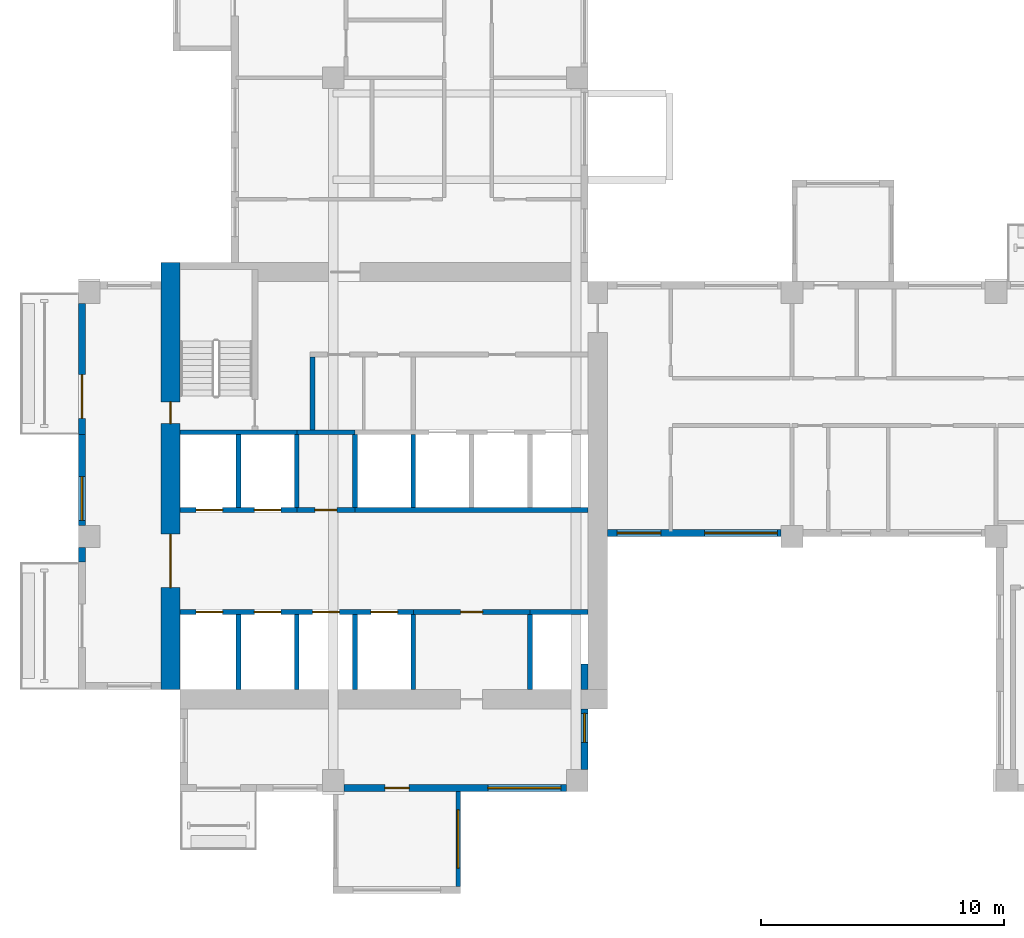
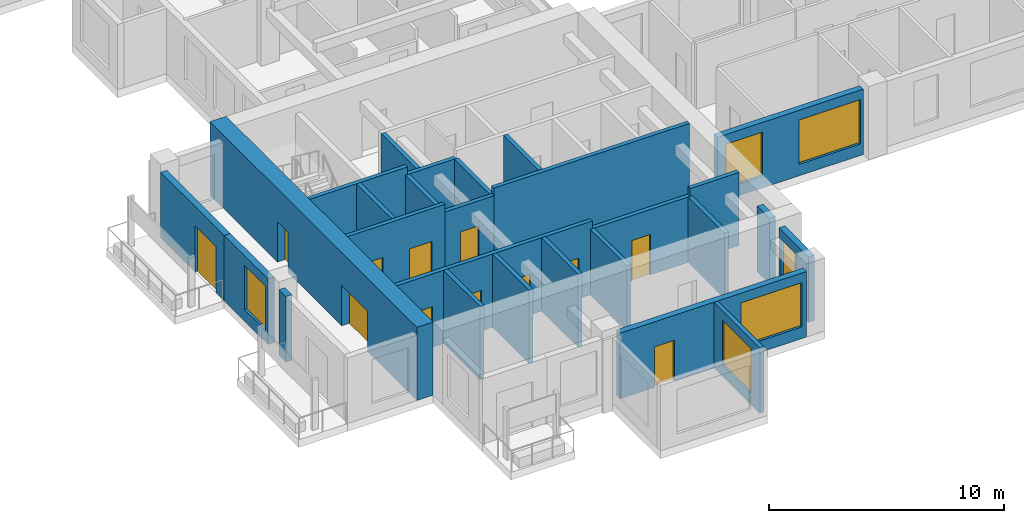
# One storey, part 2 of 11: 27 walls, 12 doors, 6 windows, 18 openings.
"""IFC4 building model written with IfcOpenShell, lengths in metres."""

from ifc_helpers import new_model, si_unit, direction, frame, frame_2d, origin, place, context, subcontext, project, spatial, rectangle, extrude, source, transform, mapped, material, layer, layer_set, type_object, element, fill, save


model = new_model("IFC4")

# Units and contexts
model_context = context("Model", 3, precision=1e-05, world=origin(), true_north=direction((0.0, 1.0)))
body_context = subcontext(model_context, "Body", "Model", "MODEL_VIEW")
ifc_project = project(units=[si_unit("LENGTHUNIT", "METRE"), si_unit("AREAUNIT", "SQUARE_METRE"), si_unit("VOLUMEUNIT", "CUBIC_METRE"), si_unit("PLANEANGLEUNIT", "RADIAN"), si_unit("MASSUNIT", "GRAM", prefix="KILO")], contexts=[model_context])

# Site, building, storey
site_placement = place(None, origin())
site = spatial("IfcSite", under=ifc_project, at=site_placement, CompositionType="ELEMENT")
building_placement = place(site_placement, origin())
building = spatial("IfcBuilding", under=site, at=building_placement, Name="Aurelian Terraces", CompositionType="ELEMENT")
storey_placement = place(building_placement, frame((0.0, 0.0, 208.2)))
storey = spatial("IfcBuildingStorey", under=building, at=storey_placement, Name="L46", CompositionType="ELEMENT", Elevation=208.2)

# Wall, opening, door
ifc_material_1 = material(Name="Terracotta rainscreen cladding", Category="masonry")
ifc_layer_1 = layer(ifc_material_1, 0.3)
ifc_layer_set_1 = layer_set([ifc_layer_1], Name="EW-300")
wall_type_1 = type_object("IfcWallType", Name="EW-300", PredefinedType="STANDARD", material=ifc_layer_set_1)
wall_1_placement = place(storey_placement, frame((0.15, 20.1, 0.0), z_axis=(0.0, 0.0, 1.0), x_axis=(0.0, -1.0, 0.0)))
wall_1 = element("IfcWall", 1, at=wall_1_placement, inside=storey, type_object=wall_type_1, Name="External wall L46 F24.39", PredefinedType="STANDARD", context=body_context, shape_type="SweptSolid", body=[
    extrude(rectangle(XDim=5.4, YDim=0.3, at=frame_2d((2.7, 0.0))), origin(), (0.0, 0.0, 1.0), 3.4),
])
shared_shape_1 = source(origin(), body_context, "Body", "SweptSolid", [
    extrude(rectangle(XDim=1.8, YDim=2.4, at=frame_2d((0.9, 1.2))), frame((0.0, 0.16, 0.0), z_axis=(0.0, -1.0, 0.0), x_axis=(1.0, 0.0, 0.0)), (0.0, 0.0, 1.0), 0.32),
])
opening_1_placement = place(wall_1_placement, frame((2.925, 0.0, 0.0)))
opening_1 = element("IfcOpeningElement", 2, at=opening_1_placement, cuts=wall_1, Name="Opening 84605", PredefinedType="OPENING", context=body_context, shape_type="MappedRepresentation", body=[
    mapped(shared_shape_1, transform((0.0, 0.0, 0.0), scale=1.0)),
])
ifc_material_2 = material(Name="Clear glazing", Category="glass")
door_type_1 = type_object("IfcDoorType", Name="BD-1800x2400", OperationType="SLIDING_TO_LEFT", PredefinedType="DOOR", material=ifc_material_2)
shared_shape_2 = source(origin(), body_context, "Body", "SweptSolid", [
    extrude(rectangle(XDim=1.8, YDim=2.4, at=frame_2d((0.9, 1.2))), frame((0.0, 0.025, 0.0), z_axis=(0.0, -1.0, 0.0), x_axis=(1.0, 0.0, 0.0)), (0.0, 0.0, 1.0), 0.05),
])
door_1_placement = place(opening_1_placement, origin())
door_1 = element("IfcDoor", 3, at=door_1_placement, inside=storey, type_object=door_type_1, Name="Balcony door L46 F24.39", OperationType="SLIDING_TO_LEFT", OverallHeight=2.4, OverallWidth=1.8, PredefinedType="DOOR", context=body_context, shape_type="MappedRepresentation", body=[
    mapped(shared_shape_2, transform((0.0, 0.0, 0.0), scale=1.0)),
])
fill(opening_1, door_1)

# Wall, openings, doors
ifc_material_3 = material(Name="Concrete fc' 70 MPa", Category="concrete")
ifc_layer_2 = layer(ifc_material_3, 0.8)
ifc_layer_set_2 = layer_set([ifc_layer_2], Name="CORE WALL 800 FC70")
wall_type_2 = type_object("IfcWallType", Name="CORE WALL 800 FC70", PredefinedType="SHEAR", material=ifc_layer_set_2)
shared_shape_3 = source(origin(), body_context, "Body", "SweptSolid", [
    extrude(rectangle(XDim=17.6, YDim=0.8, at=frame_2d((8.8, 0.0))), origin(), (0.0, 0.0, 1.0), 3.8),
])
wall_2_placement = place(storey_placement, frame((3.8, 4.2, 0.0), z_axis=(0.0, 0.0, 1.0), x_axis=(0.0, 1.0, 0.0)))
wall_2 = element("IfcWall", 4, at=wall_2_placement, inside=storey, type_object=wall_type_2, Name="Core wall W L46", PredefinedType="SHEAR", context=body_context, shape_type="MappedRepresentation", body=[
    mapped(shared_shape_3, transform((0.0, 0.0, 0.0), scale=1.0)),
])
shared_shape_4 = source(origin(), body_context, "Body", "SweptSolid", [
    extrude(rectangle(XDim=2.2, YDim=2.1, at=frame_2d((1.1, 1.05))), frame((0.0, 0.41, 0.0), z_axis=(0.0, -1.0, 0.0), x_axis=(1.0, 0.0, 0.0)), (0.0, 0.0, 1.0), 0.82),
])
opening_2_placement = place(wall_2_placement, frame((4.2, 0.0, 0.0)))
opening_2 = element("IfcOpeningElement", 5, at=opening_2_placement, cuts=wall_2, Name="Opening 64921", PredefinedType="OPENING", context=body_context, shape_type="MappedRepresentation", body=[
    mapped(shared_shape_4, transform((0.0, 0.0, 0.0), scale=1.0)),
])
shared_shape_5 = source(origin(), body_context, "Body", "SweptSolid", [
    extrude(rectangle(XDim=0.9, YDim=2.1, at=frame_2d((0.45, 1.05))), frame((0.0, 0.41, 0.0), z_axis=(0.0, -1.0, 0.0), x_axis=(1.0, 0.0, 0.0)), (0.0, 0.0, 1.0), 0.82),
])
opening_3_placement = place(wall_2_placement, frame((10.95, 0.0, 0.0)))
opening_3 = element("IfcOpeningElement", 6, at=opening_3_placement, cuts=wall_2, Name="Opening 64925", PredefinedType="OPENING", context=body_context, shape_type="MappedRepresentation", body=[
    mapped(shared_shape_5, transform((0.0, 0.0, 0.0), scale=1.0)),
])
ifc_material_4 = material(Name="Steel door leaf", Category="steel")
door_type_2 = type_object("IfcDoorType", Name="Core service door 900x2100 right", OperationType="SINGLE_SWING_RIGHT", PredefinedType="DOOR", material=ifc_material_4)
shared_shape_6 = source(origin(), body_context, "Body", "SweptSolid", [
    extrude(rectangle(XDim=0.9, YDim=2.1, at=frame_2d((0.45, 1.05))), frame((0.0, 0.025, 0.0), z_axis=(0.0, -1.0, 0.0), x_axis=(1.0, 0.0, 0.0)), (0.0, 0.0, 1.0), 0.05),
])
door_2_placement = place(opening_3_placement, origin())
door_2 = element("IfcDoor", 7, at=door_2_placement, inside=storey, type_object=door_type_2, Name="Core door 64925", OperationType="SINGLE_SWING_RIGHT", OverallHeight=2.1, OverallWidth=0.9, PredefinedType="DOOR", context=body_context, shape_type="MappedRepresentation", body=[
    mapped(shared_shape_6, transform((0.0, 0.0, 0.0), scale=1.0)),
])
fill(opening_3, door_2)
door_type_3 = type_object("IfcDoorType", Name="Core double door 2200x2100", OperationType="DOUBLE_DOOR_SINGLE_SWING", PredefinedType="DOOR", material=ifc_material_4)
shared_shape_7 = source(origin(), body_context, "Body", "SweptSolid", [
    extrude(rectangle(XDim=2.2, YDim=2.1, at=frame_2d((1.1, 1.05))), frame((0.0, 0.025, 0.0), z_axis=(0.0, -1.0, 0.0), x_axis=(1.0, 0.0, 0.0)), (0.0, 0.0, 1.0), 0.05),
])
door_3_placement = place(opening_2_placement, origin())
door_3 = element("IfcDoor", 8, at=door_3_placement, inside=storey, type_object=door_type_3, Name="Core door 64921", OperationType="DOUBLE_DOOR_SINGLE_SWING", OverallHeight=2.1, OverallWidth=2.2, PredefinedType="DOOR", context=body_context, shape_type="MappedRepresentation", body=[
    mapped(shared_shape_7, transform((0.0, 0.0, 0.0), scale=1.0)),
])
fill(opening_2, door_3)

# Wall, openings, windows
shared_shape_8 = source(origin(), body_context, "Body", "SweptSolid", [
    extrude(rectangle(XDim=7.15, YDim=0.3, at=frame_2d((3.575, 0.0))), origin(), (0.0, 0.0, 1.0), 3.4),
])
wall_3_placement = place(storey_placement, frame((21.8, 10.65, 0.0), z_axis=(0.0, 0.0, 1.0), x_axis=(1.0, 0.0, 0.0)))
wall_3 = element("IfcWall", 9, at=wall_3_placement, inside=storey, type_object=wall_type_1, Name="External wall L46 F03.6", PredefinedType="STANDARD", context=body_context, shape_type="MappedRepresentation", body=[
    mapped(shared_shape_8, transform((0.0, 0.0, 0.0), scale=1.0)),
])
shared_shape_9 = source(origin(), body_context, "Body", "SweptSolid", [
    extrude(rectangle(XDim=1.8, YDim=2.3, at=frame_2d((0.9, 1.15))), frame((0.0, 0.16, 0.0), z_axis=(0.0, -1.0, 0.0), x_axis=(1.0, 0.0, 0.0)), (0.0, 0.0, 1.0), 0.32),
])
opening_4_placement = place(wall_3_placement, frame((0.4, 0.0, 0.6)))
opening_4 = element("IfcOpeningElement", 10, at=opening_4_placement, cuts=wall_3, Name="Opening W1823", PredefinedType="OPENING", context=body_context, shape_type="MappedRepresentation", body=[
    mapped(shared_shape_9, transform((0.0, 0.0, 0.0), scale=1.0)),
])
shared_shape_10 = source(origin(), body_context, "Body", "SweptSolid", [
    extrude(rectangle(XDim=3.0, YDim=2.3, at=frame_2d((1.5, 1.15))), frame((0.0, 0.16, 0.0), z_axis=(0.0, -1.0, 0.0), x_axis=(1.0, 0.0, 0.0)), (0.0, 0.0, 1.0), 0.32),
])
opening_5_placement = place(wall_3_placement, frame((4.0, 0.0, 0.6)))
opening_5 = element("IfcOpeningElement", 11, at=opening_5_placement, cuts=wall_3, Name="Opening W3023", PredefinedType="OPENING", context=body_context, shape_type="MappedRepresentation", body=[
    mapped(shared_shape_10, transform((0.0, 0.0, 0.0), scale=1.0)),
])
window_type_1 = type_object("IfcWindowType", Name="W-3000x2300", PartitioningType="SINGLE_PANEL", PredefinedType="WINDOW", material=ifc_material_2)
shared_shape_11 = source(origin(), body_context, "Body", "SweptSolid", [
    extrude(rectangle(XDim=3.0, YDim=2.3, at=frame_2d((1.5, 1.15))), frame((0.0, 0.03, 0.0), z_axis=(0.0, -1.0, 0.0), x_axis=(1.0, 0.0, 0.0)), (0.0, 0.0, 1.0), 0.06),
])
window_1_placement = place(opening_5_placement, origin())
window_1 = element("IfcWindow", 12, at=window_1_placement, inside=storey, type_object=window_type_1, Name="Window L46 L46-F03-06-1", OverallHeight=2.3, OverallWidth=3.0, PartitioningType="SINGLE_PANEL", PredefinedType="WINDOW", context=body_context, shape_type="MappedRepresentation", body=[
    mapped(shared_shape_11, transform((0.0, 0.0, 0.0), scale=1.0)),
])
fill(opening_5, window_1)
window_type_2 = type_object("IfcWindowType", Name="W-1800x2300", PartitioningType="SINGLE_PANEL", PredefinedType="WINDOW", material=ifc_material_2)
shared_shape_12 = source(origin(), body_context, "Body", "SweptSolid", [
    extrude(rectangle(XDim=1.8, YDim=2.3, at=frame_2d((0.9, 1.15))), frame((0.0, 0.03, 0.0), z_axis=(0.0, -1.0, 0.0), x_axis=(1.0, 0.0, 0.0)), (0.0, 0.0, 1.0), 0.06),
])
window_2_placement = place(opening_4_placement, origin())
window_2 = element("IfcWindow", 13, at=window_2_placement, inside=storey, type_object=window_type_2, Name="Window L46 L46-F03-06-0", OverallHeight=2.3, OverallWidth=1.8, PartitioningType="SINGLE_PANEL", PredefinedType="WINDOW", context=body_context, shape_type="MappedRepresentation", body=[
    mapped(shared_shape_12, transform((0.0, 0.0, 0.0), scale=1.0)),
])
fill(opening_4, window_2)

# Wall, opening, window
shared_shape_13 = source(origin(), body_context, "Body", "SweptSolid", [
    extrude(rectangle(XDim=3.75, YDim=0.3, at=frame_2d((1.875, 0.0))), origin(), (0.0, 0.0, 1.0), 3.4),
])
wall_4_placement = place(storey_placement, frame((0.15, 14.7, 0.0), z_axis=(0.0, 0.0, 1.0), x_axis=(0.0, -1.0, 0.0)))
wall_4 = element("IfcWall", 14, at=wall_4_placement, inside=storey, type_object=wall_type_1, Name="External wall L46 F24.40", PredefinedType="STANDARD", context=body_context, shape_type="MappedRepresentation", body=[
    mapped(shared_shape_13, transform((0.0, 0.0, 0.0), scale=1.0)),
])
opening_6_placement = place(wall_4_placement, frame((1.725, 0.0, 0.6)))
opening_6 = element("IfcOpeningElement", 15, at=opening_6_placement, cuts=wall_4, Name="Opening W1823", PredefinedType="OPENING", context=body_context, shape_type="MappedRepresentation", body=[
    mapped(shared_shape_9, transform((0.0, 0.0, 0.0), scale=1.0)),
])
window_3_placement = place(opening_6_placement, origin())
window_3 = element("IfcWindow", 16, at=window_3_placement, inside=storey, type_object=window_type_2, Name="Window L46 L46-F24-40-0", OverallHeight=2.3, OverallWidth=1.8, PartitioningType="SINGLE_PANEL", PredefinedType="WINDOW", context=body_context, shape_type="MappedRepresentation", body=[
    mapped(shared_shape_12, transform((0.0, 0.0, 0.0), scale=1.0)),
])
fill(opening_6, window_3)

ifc_material_5 = material(Name="Concrete fc' 40 MPa", Category="concrete")
ifc_layer_3 = layer(ifc_material_5, 0.2)
ifc_layer_set_3 = layer_set([ifc_layer_3], Name="BOX BEARING WALL 200")
wall_type_3 = type_object("IfcWallType", Name="BOX BEARING WALL 200", PredefinedType="SOLIDWALL", material=ifc_layer_set_3)
shared_shape_14 = source(origin(), body_context, "Body", "SweptSolid", [
    extrude(rectangle(XDim=3.9, YDim=0.2, at=frame_2d((1.95, 0.0))), origin(), (0.0, 0.0, 1.0), 3.39),
])
wall_5_placement = place(storey_placement, frame((15.65, 0.0, 0.0), z_axis=(0.0, 0.0, 1.0), x_axis=(0.0, -1.0, 0.0)))
wall_5 = element("IfcWall", 17, at=wall_5_placement, inside=storey, type_object=wall_type_3, Name="Box return L46 J64.2", PredefinedType="SOLIDWALL", context=body_context, shape_type="MappedRepresentation", body=[
    mapped(shared_shape_14, transform((0.0, 0.0, 0.0), scale=1.0)),
])
shared_shape_15 = source(origin(), body_context, "Body", "SweptSolid", [
    extrude(rectangle(XDim=2.4, YDim=2.3, at=frame_2d((1.2, 1.15))), frame((0.0, 0.11, 0.0), z_axis=(0.0, -1.0, 0.0), x_axis=(1.0, 0.0, 0.0)), (0.0, 0.0, 1.0), 0.22),
])
opening_7_placement = place(wall_5_placement, frame((0.75, 0.0, 0.6)))
opening_7 = element("IfcOpeningElement", 18, at=opening_7_placement, cuts=wall_5, Name="Opening W2423", PredefinedType="OPENING", context=body_context, shape_type="MappedRepresentation", body=[
    mapped(shared_shape_15, transform((0.0, 0.0, 0.0), scale=1.0)),
])
window_type_3 = type_object("IfcWindowType", Name="W-2400x2300", PartitioningType="SINGLE_PANEL", PredefinedType="WINDOW", material=ifc_material_2)
shared_shape_16 = source(origin(), body_context, "Body", "SweptSolid", [
    extrude(rectangle(XDim=2.4, YDim=2.3, at=frame_2d((1.2, 1.15))), frame((0.0, 0.03, 0.0), z_axis=(0.0, -1.0, 0.0), x_axis=(1.0, 0.0, 0.0)), (0.0, 0.0, 1.0), 0.06),
])
window_4_placement = place(opening_7_placement, origin())
window_4 = element("IfcWindow", 19, at=window_4_placement, inside=storey, type_object=window_type_3, Name="Window L46 J64-S2", OverallHeight=2.3, OverallWidth=2.4, PartitioningType="SINGLE_PANEL", PredefinedType="WINDOW", context=body_context, shape_type="MappedRepresentation", body=[
    mapped(shared_shape_16, transform((0.0, 0.0, 0.0), scale=1.0)),
])
fill(opening_7, window_4)

shared_shape_17 = source(origin(), body_context, "Body", "SweptSolid", [
    extrude(rectangle(XDim=2.5, YDim=0.3, at=frame_2d((1.25, 0.0))), origin(), (0.0, 0.0, 1.0), 3.4),
])
wall_6_placement = place(storey_placement, frame((20.85, 0.9, 0.0), z_axis=(0.0, 0.0, 1.0), x_axis=(0.0, 1.0, 0.0)))
wall_6 = element("IfcWall", 20, at=wall_6_placement, inside=storey, type_object=wall_type_1, Name="External wall L46 F02.4", PredefinedType="STANDARD", context=body_context, shape_type="MappedRepresentation", body=[
    mapped(shared_shape_17, transform((0.0, 0.0, 0.0), scale=1.0)),
])
shared_shape_18 = source(origin(), body_context, "Body", "SweptSolid", [
    extrude(rectangle(XDim=1.2, YDim=2.3, at=frame_2d((0.6, 1.15))), frame((0.0, 0.16, 0.0), z_axis=(0.0, -1.0, 0.0), x_axis=(1.0, 0.0, 0.0)), (0.0, 0.0, 1.0), 0.32),
])
opening_8_placement = place(wall_6_placement, frame((1.125, 0.0, 0.6)))
opening_8 = element("IfcOpeningElement", 21, at=opening_8_placement, cuts=wall_6, Name="Opening W1223", PredefinedType="OPENING", context=body_context, shape_type="MappedRepresentation", body=[
    mapped(shared_shape_18, transform((0.0, 0.0, 0.0), scale=1.0)),
])
window_type_4 = type_object("IfcWindowType", Name="W-1200x2300", PartitioningType="SINGLE_PANEL", PredefinedType="WINDOW", material=ifc_material_2)
shared_shape_19 = source(origin(), body_context, "Body", "SweptSolid", [
    extrude(rectangle(XDim=1.2, YDim=2.3, at=frame_2d((0.6, 1.15))), frame((0.0, 0.03, 0.0), z_axis=(0.0, -1.0, 0.0), x_axis=(1.0, 0.0, 0.0)), (0.0, 0.0, 1.0), 0.06),
])
window_5_placement = place(opening_8_placement, origin())
window_5 = element("IfcWindow", 22, at=window_5_placement, inside=storey, type_object=window_type_4, Name="Window L46 L46-F02-04-0", OverallHeight=2.3, OverallWidth=1.2, PartitioningType="SINGLE_PANEL", PredefinedType="WINDOW", context=body_context, shape_type="MappedRepresentation", body=[
    mapped(shared_shape_19, transform((0.0, 0.0, 0.0), scale=1.0)),
])
fill(opening_8, window_5)

# Wall, openings, window, door
shared_shape_20 = source(origin(), body_context, "Body", "SweptSolid", [
    extrude(rectangle(XDim=9.15, YDim=0.3, at=frame_2d((4.575, 0.0))), origin(), (0.0, 0.0, 1.0), 3.4),
])
wall_7_placement = place(storey_placement, frame((10.95, 0.15, 0.0), z_axis=(0.0, 0.0, 1.0), x_axis=(1.0, 0.0, 0.0)))
wall_7 = element("IfcWall", 23, at=wall_7_placement, inside=storey, type_object=wall_type_1, Name="External wall L46 F01.3", PredefinedType="STANDARD", context=body_context, shape_type="MappedRepresentation", body=[
    mapped(shared_shape_20, transform((0.0, 0.0, 0.0), scale=1.0)),
])
opening_9_placement = place(wall_7_placement, frame((5.925, 0.0, 0.6)))
opening_9 = element("IfcOpeningElement", 24, at=opening_9_placement, cuts=wall_7, Name="Opening W3023", PredefinedType="OPENING", context=body_context, shape_type="MappedRepresentation", body=[
    mapped(shared_shape_10, transform((0.0, 0.0, 0.0), scale=1.0)),
])
shared_shape_21 = source(origin(), body_context, "Body", "SweptSolid", [
    extrude(rectangle(XDim=1.0, YDim=2.1, at=frame_2d((0.5, 1.05))), frame((0.0, 0.16, 0.0), z_axis=(0.0, -1.0, 0.0), x_axis=(1.0, 0.0, 0.0)), (0.0, 0.0, 1.0), 0.32),
])
opening_10_placement = place(wall_7_placement, frame((1.675, 0.0, 0.0)))
opening_10 = element("IfcOpeningElement", 25, at=opening_10_placement, cuts=wall_7, Name="Opening 846002", PredefinedType="OPENING", context=body_context, shape_type="MappedRepresentation", body=[
    mapped(shared_shape_21, transform((0.0, 0.0, 0.0), scale=1.0)),
])
window_6_placement = place(opening_9_placement, origin())
window_6 = element("IfcWindow", 26, at=window_6_placement, inside=storey, type_object=window_type_1, Name="Window L46 L46-F01-03-1", OverallHeight=2.3, OverallWidth=3.0, PartitioningType="SINGLE_PANEL", PredefinedType="WINDOW", context=body_context, shape_type="MappedRepresentation", body=[
    mapped(shared_shape_11, transform((0.0, 0.0, 0.0), scale=1.0)),
])
fill(opening_9, window_6)
ifc_material_6 = material(Name="Timber door leaf", Category="wood")
door_type_4 = type_object("IfcDoorType", Name="Room door 1000x2100 left", OperationType="SINGLE_SWING_LEFT", PredefinedType="DOOR", material=ifc_material_6)
shared_shape_22 = source(origin(), body_context, "Body", "SweptSolid", [
    extrude(rectangle(XDim=1.0, YDim=2.1, at=frame_2d((0.5, 1.05))), frame((0.0, 0.025, 0.0), z_axis=(0.0, -1.0, 0.0), x_axis=(1.0, 0.0, 0.0)), (0.0, 0.0, 1.0), 0.05),
])
door_4_placement = place(opening_10_placement, origin())
door_4 = element("IfcDoor", 27, at=door_4_placement, inside=storey, type_object=door_type_4, Name="Door 846002", OperationType="SINGLE_SWING_LEFT", OverallHeight=2.1, OverallWidth=1.0, PredefinedType="DOOR", context=body_context, shape_type="MappedRepresentation", body=[
    mapped(shared_shape_22, transform((0.0, 0.0, 0.0), scale=1.0)),
])
fill(opening_10, door_4)

# Walls
shared_shape_23 = source(origin(), body_context, "Body", "SweptSolid", [
    extrude(rectangle(XDim=0.6, YDim=0.3, at=frame_2d((0.3, 0.0))), origin(), (0.0, 0.0, 1.0), 3.4),
])
wall_8_placement = place(storey_placement, frame((0.15, 10.05, 0.0), z_axis=(0.0, 0.0, 1.0), x_axis=(0.0, -1.0, 0.0)))
element("IfcWall", 28, at=wall_8_placement, inside=storey, type_object=wall_type_1, Name="External wall L46 F24.40", PredefinedType="STANDARD", context=body_context, shape_type="MappedRepresentation", body=[
    mapped(shared_shape_23, transform((0.0, 0.0, 0.0), scale=1.0)),
])
shared_shape_24 = source(origin(), body_context, "Body", "SweptSolid", [
    extrude(rectangle(XDim=1.05, YDim=0.3, at=frame_2d((0.525, 0.0))), origin(), (0.0, 0.0, 1.0), 3.4),
])
wall_9_placement = place(storey_placement, frame((20.85, 4.2, 0.0), z_axis=(0.0, 0.0, 1.0), x_axis=(0.0, 1.0, 0.0)))
element("IfcWall", 29, at=wall_9_placement, inside=storey, type_object=wall_type_1, Name="External wall L46 F02.4", PredefinedType="STANDARD", context=body_context, shape_type="MappedRepresentation", body=[
    mapped(shared_shape_24, transform((0.0, 0.0, 0.0), scale=1.0)),
])
ifc_layer_4 = layer(ifc_material_5, 0.2)
ifc_layer_set_4 = layer_set([ifc_layer_4], Name="Lift shaft wall 200")
wall_type_4 = type_object("IfcWallType", Name="Lift shaft wall 200", PredefinedType="SOLIDWALL", material=ifc_layer_set_4)
shared_shape_25 = source(origin(), body_context, "Body", "SweptSolid", [
    extrude(rectangle(XDim=3.1, YDim=0.2, at=frame_2d((1.55, 0.0))), origin(), (0.0, 0.0, 1.0), 3.8),
])
for number, where, z_axis, x_axis, name in (
    (30, (6.6, 4.2, 0.0), (0.0, 0.0, 1.0), (0.0, 1.0, 0.0), "L46 core wall CD-A1"),
    (31, (9.0, 4.2, 0.0), (0.0, 0.0, 1.0), (0.0, 1.0, 0.0), "L46 core wall CD-A2"),
    (32, (11.4, 4.2, 0.0), (0.0, 0.0, 1.0), (0.0, 1.0, 0.0), "L46 core wall CD-A3"),
):
    element("IfcWall", number, at=place(storey_placement, frame(where, z_axis=z_axis, x_axis=x_axis)), inside=storey, type_object=wall_type_4, Name=name, PredefinedType="SOLIDWALL", context=body_context, shape_type="MappedRepresentation", body=[
        mapped(shared_shape_25, transform((0.0, 0.0, 0.0), scale=1.0)),
    ])
shared_shape_26 = source(origin(), body_context, "Body", "SweptSolid", [
    extrude(rectangle(XDim=3.1, YDim=0.2, at=frame_2d((1.55, 0.0))), origin(), (0.0, 0.0, 1.0), 3.4),
])
for number, where, z_axis, x_axis, name in (
    (33, (13.8, 4.2, 0.0), (0.0, 0.0, 1.0), (0.0, 1.0, 0.0), "L46 core wall CD-A4"),
    (34, (18.6, 4.2, 0.0), (0.0, 0.0, 1.0), (0.0, 1.0, 0.0), "L46 core wall CD-A6"),
):
    element("IfcWall", number, at=place(storey_placement, frame(where, z_axis=z_axis, x_axis=x_axis)), inside=storey, type_object=wall_type_4, Name=name, PredefinedType="SOLIDWALL", context=body_context, shape_type="MappedRepresentation", body=[
        mapped(shared_shape_26, transform((0.0, 0.0, 0.0), scale=1.0)),
    ])
shared_shape_27 = source(origin(), body_context, "Body", "SweptSolid", [
    extrude(rectangle(XDim=3.0, YDim=0.2, at=frame_2d((1.5, 0.0))), origin(), (0.0, 0.0, 1.0), 3.4),
])
for number, where, z_axis, x_axis, name in (
    (35, (9.0, 11.7, 0.0), (0.0, 0.0, 1.0), (0.0, 1.0, 0.0), "L46 core wall CD-B2"),
    (36, (11.4, 11.7, 0.0), (0.0, 0.0, 1.0), (0.0, 1.0, 0.0), "L46 core wall CD-B3"),
):
    element("IfcWall", number, at=place(storey_placement, frame(where, z_axis=z_axis, x_axis=x_axis)), inside=storey, type_object=wall_type_4, Name=name, PredefinedType="SOLIDWALL", context=body_context, shape_type="MappedRepresentation", body=[
        mapped(shared_shape_27, transform((0.0, 0.0, 0.0), scale=1.0)),
    ])
shared_shape_28 = source(origin(), body_context, "Body", "SweptSolid", [
    extrude(rectangle(XDim=3.0, YDim=0.2, at=frame_2d((1.5, 0.0))), origin(), (0.0, 0.0, 1.0), 3.8),
])
for number, where, z_axis, x_axis, name in (
    (37, (6.6, 11.7, 0.0), (0.0, 0.0, 1.0), (0.0, 1.0, 0.0), "L46 core wall CD-B1"),
    (38, (13.8, 11.7, 0.0), (0.0, 0.0, 1.0), (0.0, 1.0, 0.0), "L46 core wall CD-B4"),
):
    element("IfcWall", number, at=place(storey_placement, frame(where, z_axis=z_axis, x_axis=x_axis)), inside=storey, type_object=wall_type_4, Name=name, PredefinedType="SOLIDWALL", context=body_context, shape_type="MappedRepresentation", body=[
        mapped(shared_shape_28, transform((0.0, 0.0, 0.0), scale=1.0)),
    ])

# Wall, openings, doors
shared_shape_29 = source(origin(), body_context, "Body", "SweptSolid", [
    extrude(rectangle(XDim=9.6, YDim=0.2, at=frame_2d((4.8, 0.0))), origin(), (0.0, 0.0, 1.0), 3.8),
])
wall_10_placement = place(storey_placement, frame((4.2, 7.4, 0.0), z_axis=(0.0, 0.0, 1.0), x_axis=(1.0, 0.0, 0.0)))
wall_10 = element("IfcWall", 39, at=wall_10_placement, inside=storey, type_object=wall_type_4, Name="L46 core wall CF-AF1", PredefinedType="SOLIDWALL", context=body_context, shape_type="MappedRepresentation", body=[
    mapped(shared_shape_29, transform((0.0, 0.0, 0.0), scale=1.0)),
])
shared_shape_30 = source(origin(), body_context, "Body", "SweptSolid", [
    extrude(rectangle(XDim=1.1, YDim=2.1, at=frame_2d((0.55, 1.05))), frame((0.0, 0.11, 0.0), z_axis=(0.0, -1.0, 0.0), x_axis=(1.0, 0.0, 0.0)), (0.0, 0.0, 1.0), 0.22),
])
opening_11_placement = place(wall_10_placement, frame((0.65, 0.0, 0.0)))
opening_11 = element("IfcOpeningElement", 40, at=opening_11_placement, cuts=wall_10, Name="Opening 64900", PredefinedType="OPENING", context=body_context, shape_type="MappedRepresentation", body=[
    mapped(shared_shape_30, transform((0.0, 0.0, 0.0), scale=1.0)),
])
opening_12_placement = place(wall_10_placement, frame((3.05, 0.0, 0.0)))
opening_12 = element("IfcOpeningElement", 41, at=opening_12_placement, cuts=wall_10, Name="Opening 64901", PredefinedType="OPENING", context=body_context, shape_type="MappedRepresentation", body=[
    mapped(shared_shape_30, transform((0.0, 0.0, 0.0), scale=1.0)),
])
opening_13_placement = place(wall_10_placement, frame((5.45, 0.0, 0.0)))
opening_13 = element("IfcOpeningElement", 42, at=opening_13_placement, cuts=wall_10, Name="Opening 64902", PredefinedType="OPENING", context=body_context, shape_type="MappedRepresentation", body=[
    mapped(shared_shape_30, transform((0.0, 0.0, 0.0), scale=1.0)),
])
opening_14_placement = place(wall_10_placement, frame((7.85, 0.0, 0.0)))
opening_14 = element("IfcOpeningElement", 43, at=opening_14_placement, cuts=wall_10, Name="Opening 64903", PredefinedType="OPENING", context=body_context, shape_type="MappedRepresentation", body=[
    mapped(shared_shape_30, transform((0.0, 0.0, 0.0), scale=1.0)),
])
ifc_material_7 = material(Name="Stainless steel", Category="steel")
door_type_5 = type_object("IfcDoorType", Name="Lift landing door 1100x2100", OperationType="SLIDING_TO_LEFT", PredefinedType="DOOR", material=ifc_material_7)
shared_shape_31 = source(origin(), body_context, "Body", "SweptSolid", [
    extrude(rectangle(XDim=1.1, YDim=2.1, at=frame_2d((0.55, 1.05))), frame((0.0, 0.025, 0.0), z_axis=(0.0, -1.0, 0.0), x_axis=(1.0, 0.0, 0.0)), (0.0, 0.0, 1.0), 0.05),
])
door_5_placement = place(opening_11_placement, origin())
door_5 = element("IfcDoor", 44, at=door_5_placement, inside=storey, type_object=door_type_5, Name="Lift landing door LM1 L46", OperationType="SLIDING_TO_LEFT", OverallHeight=2.1, OverallWidth=1.1, PredefinedType="DOOR", context=body_context, shape_type="MappedRepresentation", body=[
    mapped(shared_shape_31, transform((0.0, 0.0, 0.0), scale=1.0)),
])
fill(opening_11, door_5)
door_6_placement = place(opening_12_placement, origin())
door_6 = element("IfcDoor", 45, at=door_6_placement, inside=storey, type_object=door_type_5, Name="Lift landing door LM2 L46", OperationType="SLIDING_TO_LEFT", OverallHeight=2.1, OverallWidth=1.1, PredefinedType="DOOR", context=body_context, shape_type="MappedRepresentation", body=[
    mapped(shared_shape_31, transform((0.0, 0.0, 0.0), scale=1.0)),
])
fill(opening_12, door_6)
door_7_placement = place(opening_13_placement, origin())
door_7 = element("IfcDoor", 46, at=door_7_placement, inside=storey, type_object=door_type_5, Name="Lift landing door LM3 L46", OperationType="SLIDING_TO_LEFT", OverallHeight=2.1, OverallWidth=1.1, PredefinedType="DOOR", context=body_context, shape_type="MappedRepresentation", body=[
    mapped(shared_shape_31, transform((0.0, 0.0, 0.0), scale=1.0)),
])
fill(opening_13, door_7)
door_8_placement = place(opening_14_placement, origin())
door_8 = element("IfcDoor", 47, at=door_8_placement, inside=storey, type_object=door_type_5, Name="Lift landing door LM4 L46", OperationType="SLIDING_TO_LEFT", OverallHeight=2.1, OverallWidth=1.1, PredefinedType="DOOR", context=body_context, shape_type="MappedRepresentation", body=[
    mapped(shared_shape_31, transform((0.0, 0.0, 0.0), scale=1.0)),
])
fill(opening_14, door_8)

# Wall
wall_11_placement = place(storey_placement, frame((11.4, 11.6, 0.0), z_axis=(0.0, 0.0, 1.0), x_axis=(1.0, 0.0, 0.0)))
element("IfcWall", 48, at=wall_11_placement, inside=storey, type_object=wall_type_4, Name="L46 core wall CF-BF3", PredefinedType="SOLIDWALL", context=body_context, shape_type="MappedRepresentation", body=[
    mapped(shared_shape_29, transform((0.0, 0.0, 0.0), scale=1.0)),
])

# Wall, openings, doors
shared_shape_32 = source(origin(), body_context, "Body", "SweptSolid", [
    extrude(rectangle(XDim=4.8, YDim=0.2, at=frame_2d((2.4, 0.0))), origin(), (0.0, 0.0, 1.0), 3.8),
])
wall_12_placement = place(storey_placement, frame((4.2, 11.6, 0.0), z_axis=(0.0, 0.0, 1.0), x_axis=(1.0, 0.0, 0.0)))
wall_12 = element("IfcWall", 49, at=wall_12_placement, inside=storey, type_object=wall_type_4, Name="L46 core wall CF-BF1", PredefinedType="SOLIDWALL", context=body_context, shape_type="MappedRepresentation", body=[
    mapped(shared_shape_32, transform((0.0, 0.0, 0.0), scale=1.0)),
])
opening_15_placement = place(wall_12_placement, frame((0.65, 0.0, 0.0)))
opening_15 = element("IfcOpeningElement", 50, at=opening_15_placement, cuts=wall_12, Name="Opening 64905", PredefinedType="OPENING", context=body_context, shape_type="MappedRepresentation", body=[
    mapped(shared_shape_30, transform((0.0, 0.0, 0.0), scale=1.0)),
])
opening_16_placement = place(wall_12_placement, frame((3.05, 0.0, 0.0)))
opening_16 = element("IfcOpeningElement", 51, at=opening_16_placement, cuts=wall_12, Name="Opening 64906", PredefinedType="OPENING", context=body_context, shape_type="MappedRepresentation", body=[
    mapped(shared_shape_30, transform((0.0, 0.0, 0.0), scale=1.0)),
])
door_9_placement = place(opening_15_placement, origin())
door_9 = element("IfcDoor", 52, at=door_9_placement, inside=storey, type_object=door_type_5, Name="Lift landing door LM5 L46", OperationType="SLIDING_TO_LEFT", OverallHeight=2.1, OverallWidth=1.1, PredefinedType="DOOR", context=body_context, shape_type="MappedRepresentation", body=[
    mapped(shared_shape_31, transform((0.0, 0.0, 0.0), scale=1.0)),
])
fill(opening_15, door_9)
door_10_placement = place(opening_16_placement, origin())
door_10 = element("IfcDoor", 53, at=door_10_placement, inside=storey, type_object=door_type_5, Name="Lift landing door LM6 L46", OperationType="SLIDING_TO_LEFT", OverallHeight=2.1, OverallWidth=1.1, PredefinedType="DOOR", context=body_context, shape_type="MappedRepresentation", body=[
    mapped(shared_shape_31, transform((0.0, 0.0, 0.0), scale=1.0)),
])
fill(opening_16, door_10)

# Wall
wall_13_placement = place(storey_placement, frame((4.2, 14.8, 0.0), z_axis=(0.0, 0.0, 1.0), x_axis=(1.0, 0.0, 0.0)))
element("IfcWall", 54, at=wall_13_placement, inside=storey, type_object=wall_type_4, Name="L46 core wall CF-BB1", PredefinedType="SOLIDWALL", context=body_context, shape_type="MappedRepresentation", body=[
    mapped(shared_shape_32, transform((0.0, 0.0, 0.0), scale=1.0)),
])

# Wall, opening, door
shared_shape_33 = source(origin(), body_context, "Body", "SweptSolid", [
    extrude(rectangle(XDim=2.4, YDim=0.2, at=frame_2d((1.2, 0.0))), origin(), (0.0, 0.0, 1.0), 3.4),
])
wall_14_placement = place(storey_placement, frame((9.0, 11.6, 0.0), z_axis=(0.0, 0.0, 1.0), x_axis=(1.0, 0.0, 0.0)))
wall_14 = element("IfcWall", 55, at=wall_14_placement, inside=storey, type_object=wall_type_4, Name="L46 core wall CF-BF2", PredefinedType="SOLIDWALL", context=body_context, shape_type="MappedRepresentation", body=[
    mapped(shared_shape_33, transform((0.0, 0.0, 0.0), scale=1.0)),
])
shared_shape_34 = source(origin(), body_context, "Body", "SweptSolid", [
    extrude(rectangle(XDim=0.9, YDim=2.1, at=frame_2d((0.45, 1.05))), frame((0.0, 0.11, 0.0), z_axis=(0.0, -1.0, 0.0), x_axis=(1.0, 0.0, 0.0)), (0.0, 0.0, 1.0), 0.22),
])
opening_17_placement = place(wall_14_placement, frame((0.75, 0.0, 0.0)))
opening_17 = element("IfcOpeningElement", 56, at=opening_17_placement, cuts=wall_14, Name="Opening 64907", PredefinedType="OPENING", context=body_context, shape_type="MappedRepresentation", body=[
    mapped(shared_shape_34, transform((0.0, 0.0, 0.0), scale=1.0)),
])
door_type_6 = type_object("IfcDoorType", Name="Core service door 900x2100", OperationType="SINGLE_SWING_LEFT", PredefinedType="DOOR", material=ifc_material_4)
door_11_placement = place(opening_17_placement, origin())
door_11 = element("IfcDoor", 57, at=door_11_placement, inside=storey, type_object=door_type_6, Name="Room door 64907", OperationType="SINGLE_SWING_LEFT", OverallHeight=2.1, OverallWidth=0.9, PredefinedType="DOOR", context=body_context, shape_type="MappedRepresentation", body=[
    mapped(shared_shape_6, transform((0.0, 0.0, 0.0), scale=1.0)),
])
fill(opening_17, door_11)

# Walls
wall_15_placement = place(storey_placement, frame((9.0, 14.8, 0.0), z_axis=(0.0, 0.0, 1.0), x_axis=(1.0, 0.0, 0.0)))
element("IfcWall", 58, at=wall_15_placement, inside=storey, type_object=wall_type_4, Name="L46 core wall CF-BB2", PredefinedType="SOLIDWALL", context=body_context, shape_type="MappedRepresentation", body=[
    mapped(shared_shape_33, transform((0.0, 0.0, 0.0), scale=1.0)),
])
ifc_material_8 = material(Name="Gypsum board on steel studs", Category="steel")
ifc_layer_5 = layer(ifc_material_8, 0.2)
ifc_layer_set_5 = layer_set([ifc_layer_5], Name="Core partition 200")
wall_type_5 = type_object("IfcWallType", Name="Core partition 200", PredefinedType="PARTITIONING", material=ifc_layer_set_5)
shared_shape_35 = source(origin(), body_context, "Body", "SweptSolid", [
    extrude(rectangle(XDim=3.0, YDim=0.2, at=frame_2d((1.5, 0.0))), origin(), (0.0, 0.0, 1.0), 3.4),
])
wall_16_placement = place(storey_placement, frame((9.65, 14.9, 0.0), z_axis=(0.0, 0.0, 1.0), x_axis=(0.0, 1.0, 0.0)))
element("IfcWall", 59, at=wall_16_placement, inside=storey, type_object=wall_type_5, Name="L46 core wall CP-VEST", PredefinedType="PARTITIONING", context=body_context, shape_type="MappedRepresentation", body=[
    mapped(shared_shape_35, transform((0.0, 0.0, 0.0), scale=1.0)),
])

# Wall, opening, door
shared_shape_36 = source(origin(), body_context, "Body", "SweptSolid", [
    extrude(rectangle(XDim=4.8, YDim=0.2, at=frame_2d((2.4, 0.0))), origin(), (0.0, 0.0, 1.0), 3.4),
])
wall_17_placement = place(storey_placement, frame((13.8, 7.4, 0.0), z_axis=(0.0, 0.0, 1.0), x_axis=(1.0, 0.0, 0.0)))
wall_17 = element("IfcWall", 60, at=wall_17_placement, inside=storey, type_object=wall_type_4, Name="L46 core wall CF-AF2", PredefinedType="SOLIDWALL", context=body_context, shape_type="MappedRepresentation", body=[
    mapped(shared_shape_36, transform((0.0, 0.0, 0.0), scale=1.0)),
])
opening_18_placement = place(wall_17_placement, frame((1.95, 0.0, 0.0)))
opening_18 = element("IfcOpeningElement", 61, at=opening_18_placement, cuts=wall_17, Name="Opening 64904", PredefinedType="OPENING", context=body_context, shape_type="MappedRepresentation", body=[
    mapped(shared_shape_34, transform((0.0, 0.0, 0.0), scale=1.0)),
])
door_12_placement = place(opening_18_placement, origin())
door_12 = element("IfcDoor", 62, at=door_12_placement, inside=storey, type_object=door_type_2, Name="Room door 64904", OperationType="SINGLE_SWING_RIGHT", OverallHeight=2.1, OverallWidth=0.9, PredefinedType="DOOR", context=body_context, shape_type="MappedRepresentation", body=[
    mapped(shared_shape_6, transform((0.0, 0.0, 0.0), scale=1.0)),
])
fill(opening_18, door_12)

# Wall
shared_shape_37 = source(origin(), body_context, "Body", "SweptSolid", [
    extrude(rectangle(XDim=2.4, YDim=0.2, at=frame_2d((1.2, 0.0))), origin(), (0.0, 0.0, 1.0), 3.8),
])
wall_18_placement = place(storey_placement, frame((18.6, 7.4, 0.0), z_axis=(0.0, 0.0, 1.0), x_axis=(1.0, 0.0, 0.0)))
element("IfcWall", 63, at=wall_18_placement, inside=storey, type_object=wall_type_4, Name="L46 core wall CF-AF3", PredefinedType="SOLIDWALL", context=body_context, shape_type="MappedRepresentation", body=[
    mapped(shared_shape_37, transform((0.0, 0.0, 0.0), scale=1.0)),
])

save(model, "model.ifc")
